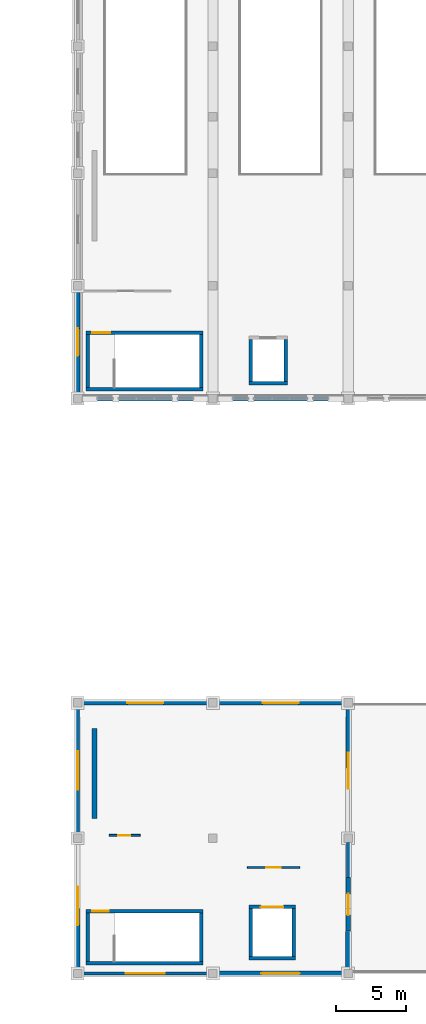
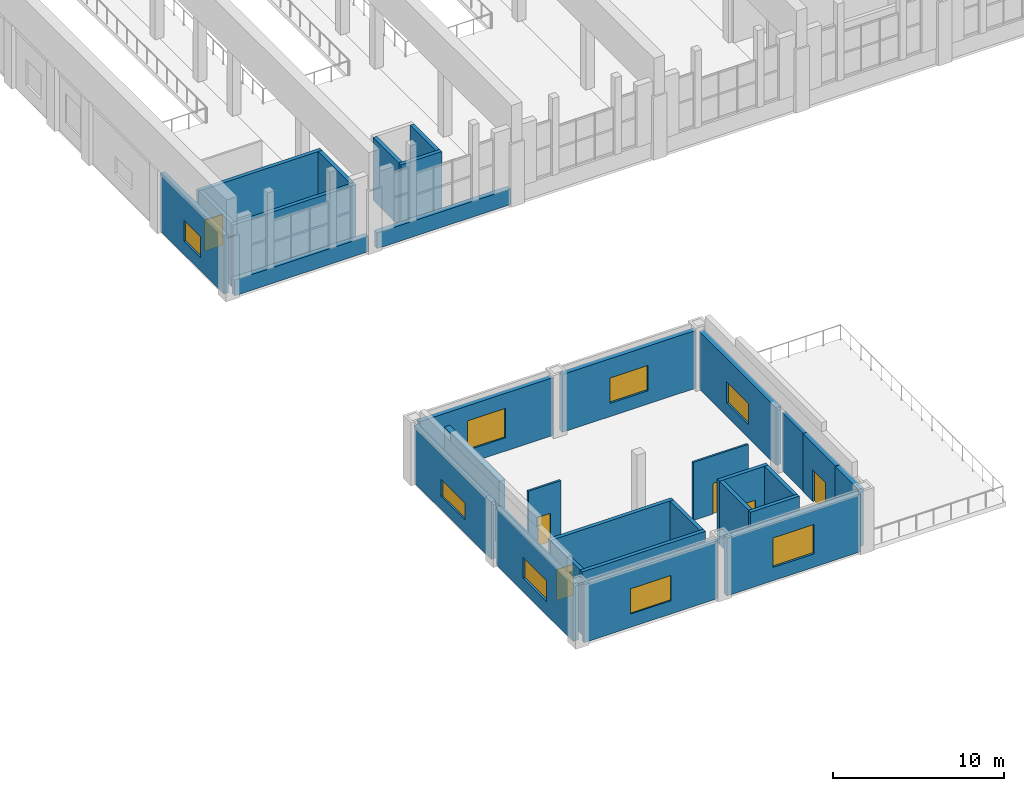
# One storey, part 29 of 46: 31 walls, 8 windows, 6 doors, 14 openings.
"""IFC4 building model written with IfcOpenShell, lengths in metres."""

from ifc_helpers import new_model, si_unit, direction, frame, frame_2d, origin, place, context, subcontext, project, spatial, rectangle, extrude, material, layer, layer_set, type_object, element, fill, save


model = new_model("IFC4")

# Units and contexts
model_context = context("Model", 3, precision=1e-05, world=origin(), true_north=direction((0.0, 1.0)))
body_context = subcontext(model_context, "Body", "Model", "MODEL_VIEW")
ifc_project = project(units=[si_unit("LENGTHUNIT", "METRE"), si_unit("AREAUNIT", "SQUARE_METRE"), si_unit("VOLUMEUNIT", "CUBIC_METRE"), si_unit("PLANEANGLEUNIT", "RADIAN"), si_unit("MASSUNIT", "GRAM", prefix="KILO")], contexts=[model_context])

# Site, building, storey
site_placement = place(None, origin())
site = spatial("IfcSite", under=ifc_project, at=site_placement, CompositionType="ELEMENT")
building_placement = place(site_placement, origin())
building = spatial("IfcBuilding", under=site, at=building_placement, Name="Mavantir Sound Aquarium", CompositionType="ELEMENT")
storey_placement = place(building_placement, frame((0.0, 0.0, 15.300048828125)))
storey = spatial("IfcBuildingStorey", under=building, at=storey_placement, Name="L03", CompositionType="ELEMENT", Elevation=15.300048828125)

# Wall, opening, door
ifc_material_1 = material(Name="Coral-Buff Architectural Precast Concrete C40/50", Category="concrete")
ifc_layer_1 = layer(ifc_material_1, 0.31005859375, Name="Coral-Buff Architectural Precast Concrete C40/50")
ifc_layer_set_1 = layer_set([ifc_layer_1], Name="Coral-Buff Architectural Precast Concrete C40/50")
wall_type_1 = type_object("IfcWallType", Name="EW-CORAL-310", PredefinedType="SOLIDWALL", material=ifc_layer_set_1)
wall_1_placement = place(storey_placement, frame((127.199951171875, 6.800048828125, 0.0), z_axis=(0.0, 0.0, 1.0), x_axis=(0.0, -1.0, 0.0)))
wall_1 = element("IfcWall", 1, at=wall_1_placement, inside=storey, type_object=wall_type_1, Name="L03 terrace portal wall 18", PredefinedType="SOLIDWALL", context=body_context, shape_type="SweptSolid", body=[
    extrude(rectangle(XDim=3.800048828125, YDim=0.31005859375, at=frame_2d((1.89990234375, 0.0))), origin(), (0.0, 0.0, 1.0), 4.146240234375),
])
opening_1_placement = place(wall_1_placement, frame((2.64990234375, 0.0, 0.0), z_axis=(0.0, 0.0, 1.0), x_axis=(-1.0, 0.0, 0.0)))
opening_1 = element("IfcOpeningElement", 2, at=opening_1_placement, cuts=wall_1, Name="Opening ETD-01", PredefinedType="OPENING", context=body_context, shape_type="SweptSolid", body=[
    extrude(rectangle(XDim=1.5, YDim=2.25, at=frame_2d((0.75, 1.125))), frame((0.0, 0.1650390625, 0.0), z_axis=(0.0, -1.0, 0.0), x_axis=(1.0, 0.0, 0.0)), (0.0, 0.0, 1.0), 0.330078125),
])
ifc_material_2 = material(Name="Marine-Grade Anodised Aluminium and Laminated Glass", Category="aluminium")
door_type_1 = type_object("IfcDoorType", Name="DR-TER-150", OperationType="NOTDEFINED", PredefinedType="DOOR", material=ifc_material_2)
door_1_placement = place(opening_1_placement, origin())
door_1 = element("IfcDoor", 3, at=door_1_placement, inside=storey, type_object=door_type_1, Name="L03 terrace access door 18", OperationType="SINGLE_SWING_LEFT", OverallHeight=2.25, OverallWidth=1.5, PredefinedType="DOOR", context=body_context, shape_type="SweptSolid", body=[
    extrude(rectangle(XDim=1.5, YDim=2.25, at=frame_2d((0.75, 1.125))), frame((0.0, 0.02490234375, 0.0), z_axis=(0.0, -1.0, 0.0), x_axis=(1.0, 0.0, 0.0)), (0.0, 0.0, 1.0), 0.050048828125),
])
fill(opening_1, door_1)

# Wall, opening, window
wall_2_placement = place(storey_placement, frame((108.0, 48.491943359375, 0.0), z_axis=(0.0, 0.0, 1.0), x_axis=(0.0, -1.0, 0.0)))
wall_2 = element("IfcWall", 4, at=wall_2_placement, inside=storey, type_object=wall_type_1, Name="L03 exterior facade wall EW-02 362", PredefinedType="SOLIDWALL", context=body_context, shape_type="SweptSolid", body=[
    extrude(rectangle(XDim=7.384033203125, YDim=0.31005859375, at=frame_2d((3.69189453125, 0.0))), origin(), (0.0, 0.0, 1.0), 4.159912109375),
])
opening_2_placement = place(wall_2_placement, frame((2.717041015625, 0.0, 0.949951171875)))
opening_2 = element("IfcOpeningElement", 5, at=opening_2_placement, cuts=wall_2, Name="Opening W-22", PredefinedType="OPENING", context=body_context, shape_type="SweptSolid", body=[
    extrude(rectangle(XDim=1.949951171875, YDim=1.5, at=frame_2d((0.97509765625, 0.75))), frame((0.0, 0.1650390625, 0.0), z_axis=(0.0, -1.0, 0.0), x_axis=(1.0, 0.0, 0.0)), (0.0, 0.0, 1.0), 0.330078125),
])
ifc_material_3 = material(Name="Thermally Broken Aluminium and Low-E Glass", Category="aluminium")
window_type_1 = type_object("IfcWindowType", Name="WIN-EXT-22", PartitioningType="DOUBLE_PANEL_VERTICAL", PredefinedType="WINDOW", material=ifc_material_3)
window_1_placement = place(opening_2_placement, origin())
window_1 = element("IfcWindow", 6, at=window_1_placement, inside=storey, type_object=window_type_1, Name="L03 facade window W-22 166", OverallHeight=1.5, OverallWidth=1.949951171875, PartitioningType="SINGLE_PANEL", PredefinedType="WINDOW", context=body_context, shape_type="SweptSolid", body=[
    extrude(rectangle(XDim=1.949951171875, YDim=1.5, at=frame_2d((0.97509765625, 0.75))), frame((0.0, 0.030029296875, 0.0), z_axis=(0.0, -1.0, 0.0), x_axis=(1.0, 0.0, 0.0)), (0.0, 0.0, 1.0), 0.06005859375),
])
fill(opening_2, window_1)

wall_3_placement = place(storey_placement, frame((126.89208984375, 19.199951171875, 0.0), z_axis=(0.0, 0.0, 1.0), x_axis=(-1.0, 0.0, 0.0)))
wall_3 = element("IfcWall", 7, at=wall_3_placement, inside=storey, type_object=wall_type_1, Name="L03 exterior facade wall EW-02 380", PredefinedType="SOLIDWALL", context=body_context, shape_type="SweptSolid", body=[
    extrude(rectangle(XDim=8.984130859375, YDim=0.31005859375, at=frame_2d((4.4921875, 0.0))), origin(), (0.0, 0.0, 1.0), 4.120361328125),
])
opening_3_placement = place(wall_3_placement, frame((3.217041015625, 0.0, 0.949951171875)))
opening_3 = element("IfcOpeningElement", 8, at=opening_3_placement, cuts=wall_3, Name="Opening W-35", PredefinedType="OPENING", context=body_context, shape_type="SweptSolid", body=[
    extrude(rectangle(XDim=2.550048828125, YDim=1.800048828125, at=frame_2d((1.27490234375, 0.89990234375))), frame((0.0, 0.1650390625, 0.0), z_axis=(0.0, -1.0, 0.0), x_axis=(1.0, 0.0, 0.0)), (0.0, 0.0, 1.0), 0.330078125),
])
window_type_2 = type_object("IfcWindowType", Name="WIN-EXT-35", PartitioningType="TRIPLE_PANEL_VERTICAL", PredefinedType="WINDOW", material=ifc_material_3)
window_2_placement = place(opening_3_placement, origin())
window_2 = element("IfcWindow", 9, at=window_2_placement, inside=storey, type_object=window_type_2, Name="L03 facade window W-35 179", OverallHeight=1.800048828125, OverallWidth=2.550048828125, PartitioningType="SINGLE_PANEL", PredefinedType="WINDOW", context=body_context, shape_type="SweptSolid", body=[
    extrude(rectangle(XDim=2.550048828125, YDim=1.800048828125, at=frame_2d((1.27490234375, 0.89990234375))), frame((0.0, 0.030029296875, 0.0), z_axis=(0.0, -1.0, 0.0), x_axis=(1.0, 0.0, 0.0)), (0.0, 0.0, 1.0), 0.06005859375),
])
fill(opening_3, window_2)

ifc_layer_2 = layer(ifc_material_1, 0.340087890625, Name="Coral-Buff Architectural Precast Concrete C40/50")
ifc_layer_set_2 = layer_set([ifc_layer_2], Name="Coral-Buff Architectural Precast Concrete C40/50")
wall_type_2 = type_object("IfcWallType", Name="EW-CORAL-340", PredefinedType="SOLIDWALL", material=ifc_layer_set_2)
wall_4_placement = place(storey_placement, frame((127.199951171875, 9.907958984375, 0.0), z_axis=(0.0, 0.0, 1.0), x_axis=(0.0, 1.0, 0.0)))
wall_4 = element("IfcWall", 10, at=wall_4_placement, inside=storey, type_object=wall_type_2, Name="L03 exterior facade wall EW-01 379", PredefinedType="SOLIDWALL", context=body_context, shape_type="SweptSolid", body=[
    extrude(rectangle(XDim=8.984130859375, YDim=0.340087890625, at=frame_2d((4.4921875, 0.0))), origin(), (0.0, 0.0, 1.0), 4.120361328125),
])
opening_4_placement = place(wall_4_placement, frame((3.217041015625, 0.0, 0.949951171875)))
opening_4 = element("IfcOpeningElement", 11, at=opening_4_placement, cuts=wall_4, Name="Opening W-34", PredefinedType="OPENING", context=body_context, shape_type="SweptSolid", body=[
    extrude(rectangle(XDim=2.550048828125, YDim=1.5, at=frame_2d((1.27490234375, 0.75))), frame((0.0, 0.18017578125, 0.0), z_axis=(0.0, -1.0, 0.0), x_axis=(1.0, 0.0, 0.0)), (0.0, 0.0, 1.0), 0.360107421875),
])
window_type_3 = type_object("IfcWindowType", Name="WIN-EXT-34", PartitioningType="TRIPLE_PANEL_VERTICAL", PredefinedType="WINDOW", material=ifc_material_3)
window_3_placement = place(opening_4_placement, origin())
window_3 = element("IfcWindow", 12, at=window_3_placement, inside=storey, type_object=window_type_3, Name="L03 facade window W-34 178", OverallHeight=1.5, OverallWidth=2.550048828125, PartitioningType="SINGLE_PANEL", PredefinedType="WINDOW", context=body_context, shape_type="SweptSolid", body=[
    extrude(rectangle(XDim=2.550048828125, YDim=1.5, at=frame_2d((1.27490234375, 0.75))), frame((0.0, 0.030029296875, 0.0), z_axis=(0.0, -1.0, 0.0), x_axis=(1.0, 0.0, 0.0)), (0.0, 0.0, 1.0), 0.06005859375),
])
fill(opening_4, window_3)

wall_5_placement = place(storey_placement, frame((117.907958984375, 0.0, 0.0), z_axis=(0.0, 0.0, 1.0), x_axis=(1.0, 0.0, 0.0)))
wall_5 = element("IfcWall", 13, at=wall_5_placement, inside=storey, type_object=wall_type_2, Name="L03 exterior facade wall EW-01 385", PredefinedType="SOLIDWALL", context=body_context, shape_type="SweptSolid", body=[
    extrude(rectangle(XDim=8.984130859375, YDim=0.340087890625, at=frame_2d((4.4921875, 0.0))), origin(), (0.0, 0.0, 1.0), 4.120361328125),
])
opening_5_placement = place(wall_5_placement, frame((3.116943359375, 0.0, 0.949951171875)))
opening_5 = element("IfcOpeningElement", 14, at=opening_5_placement, cuts=wall_5, Name="Opening W-40", PredefinedType="OPENING", context=body_context, shape_type="SweptSolid", body=[
    extrude(rectangle(XDim=2.75, YDim=2.10009765625, at=frame_2d((1.375, 1.050048828125))), frame((0.0, 0.18017578125, 0.0), z_axis=(0.0, -1.0, 0.0), x_axis=(1.0, 0.0, 0.0)), (0.0, 0.0, 1.0), 0.360107421875),
])
window_type_4 = type_object("IfcWindowType", Name="WIN-EXT-40", PartitioningType="TRIPLE_PANEL_VERTICAL", PredefinedType="WINDOW", material=ifc_material_3)
window_4_placement = place(opening_5_placement, origin())
window_4 = element("IfcWindow", 15, at=window_4_placement, inside=storey, type_object=window_type_4, Name="L03 facade window W-40 184", OverallHeight=2.10009765625, OverallWidth=2.75, PartitioningType="SINGLE_PANEL", PredefinedType="WINDOW", context=body_context, shape_type="SweptSolid", body=[
    extrude(rectangle(XDim=2.75, YDim=2.10009765625, at=frame_2d((1.375, 1.050048828125))), frame((0.0, 0.030029296875, 0.0), z_axis=(0.0, -1.0, 0.0), x_axis=(1.0, 0.0, 0.0)), (0.0, 0.0, 1.0), 0.06005859375),
])
fill(opening_5, window_4)

# Walls
for number, where, z_axis, x_axis, name in (
    (16, (108.300048828125, 40.800048828125, 0.0), (0.0, 0.0, 1.0), (1.0, 0.0, 0.0), "Scalloped bay 1 S gallery dado wall"),
    (17, (117.89990234375, 40.800048828125, 0.0), (0.0, 0.0, 1.0), (1.0, 0.0, 0.0), "Scalloped bay 2 S gallery dado wall"),
):
    element("IfcWall", number, at=place(storey_placement, frame(where, z_axis=z_axis, x_axis=x_axis)), inside=storey, type_object=wall_type_2, Name=name, PredefinedType="SOLIDWALL", context=body_context, shape_type="SweptSolid", body=[
        extrude(rectangle(XDim=9.0, YDim=0.340087890625, at=frame_2d((4.5, 0.0))), origin(), (0.0, 0.0, 1.0), 1.119873046875),
    ])
ifc_material_4 = material(Name="Architectural Precast Concrete C40/50", Category="concrete")
ifc_layer_3 = layer(ifc_material_4, 0.239990234375, Name="Architectural Precast Concrete C40/50")
ifc_layer_set_3 = layer_set([ifc_layer_3], Name="Architectural Precast Concrete C40/50")
wall_type_3 = type_object("IfcWallType", Name="EW-PRE-240", PredefinedType="SOLIDWALL", material=ifc_layer_set_3)
wall_6_placement = place(storey_placement, frame((127.199951171875, 6.804931640625, 0.0), z_axis=(0.0, 0.0, 1.0), x_axis=(0.0, 1.0, 0.0)))
element("IfcWall", 18, at=wall_6_placement, inside=storey, type_object=wall_type_3, Name="L03 exterior facade wall EW-06 378", PredefinedType="SOLIDWALL", context=body_context, shape_type="SweptSolid", body=[
    extrude(rectangle(XDim=2.487060546875, YDim=0.239990234375, at=frame_2d((1.24365234375, 0.0))), origin(), (0.0, 0.0, 1.0), 4.146240234375),
])

# Wall, opening, window
wall_7_placement = place(storey_placement, frame((108.30810546875, 0.0, 0.0), z_axis=(0.0, 0.0, 1.0), x_axis=(1.0, 0.0, 0.0)))
wall_7 = element("IfcWall", 19, at=wall_7_placement, inside=storey, type_object=wall_type_3, Name="L03 exterior facade wall EW-06 384", PredefinedType="SOLIDWALL", context=body_context, shape_type="SweptSolid", body=[
    extrude(rectangle(XDim=8.98388671875, YDim=0.239990234375, at=frame_2d((4.491943359375, 0.0))), origin(), (0.0, 0.0, 1.0), 4.120361328125),
])
opening_6_placement = place(wall_7_placement, frame((3.116943359375, 0.0, 0.949951171875)))
opening_6 = element("IfcOpeningElement", 20, at=opening_6_placement, cuts=wall_7, Name="Opening W-39", PredefinedType="OPENING", context=body_context, shape_type="SweptSolid", body=[
    extrude(rectangle(XDim=2.75, YDim=1.800048828125, at=frame_2d((1.375, 0.89990234375))), frame((0.0, 0.1298828125, 0.0), z_axis=(0.0, -1.0, 0.0), x_axis=(1.0, 0.0, 0.0)), (0.0, 0.0, 1.0), 0.260009765625),
])
window_type_5 = type_object("IfcWindowType", Name="WIN-EXT-39", PartitioningType="TRIPLE_PANEL_VERTICAL", PredefinedType="WINDOW", material=ifc_material_3)
window_5_placement = place(opening_6_placement, origin())
window_5 = element("IfcWindow", 21, at=window_5_placement, inside=storey, type_object=window_type_5, Name="L03 facade window W-39 183", OverallHeight=1.800048828125, OverallWidth=2.75, PartitioningType="SINGLE_PANEL", PredefinedType="WINDOW", context=body_context, shape_type="SweptSolid", body=[
    extrude(rectangle(XDim=2.75, YDim=1.800048828125, at=frame_2d((1.375, 0.89990234375))), frame((0.0, 0.030029296875, 0.0), z_axis=(0.0, -1.0, 0.0), x_axis=(1.0, 0.0, 0.0)), (0.0, 0.0, 1.0), 0.06005859375),
])
fill(opening_6, window_5)

# Wall
ifc_layer_4 = layer(ifc_material_1, 0.360107421875, Name="Coral-Buff Architectural Precast Concrete C40/50")
ifc_layer_set_4 = layer_set([ifc_layer_4], Name="Coral-Buff Architectural Precast Concrete C40/50")
wall_type_4 = type_object("IfcWallType", Name="EW-PRE-360", PredefinedType="SOLIDWALL", material=ifc_layer_set_4)
wall_8_placement = place(storey_placement, frame((127.199951171875, 0.30810546875, 0.0), z_axis=(0.0, 0.0, 1.0), x_axis=(0.0, 1.0, 0.0)))
element("IfcWall", 22, at=wall_8_placement, inside=storey, type_object=wall_type_4, Name="L03 exterior facade wall EW-05 377", PredefinedType="SOLIDWALL", context=body_context, shape_type="SweptSolid", body=[
    extrude(rectangle(XDim=2.68701171875, YDim=0.360107421875, at=frame_2d((1.343505859375, 0.0))), origin(), (0.0, 0.0, 1.0), 4.120361328125),
])

# Wall, opening, window
wall_9_placement = place(storey_placement, frame((108.0, 9.2919921875, 0.0), z_axis=(0.0, 0.0, 1.0), x_axis=(0.0, -1.0, 0.0)))
wall_9 = element("IfcWall", 23, at=wall_9_placement, inside=storey, type_object=wall_type_4, Name="L03 exterior facade wall EW-05 383", PredefinedType="SOLIDWALL", context=body_context, shape_type="SweptSolid", body=[
    extrude(rectangle(XDim=8.98388671875, YDim=0.360107421875, at=frame_2d((4.491943359375, 0.0))), origin(), (0.0, 0.0, 1.0), 4.120361328125),
])
opening_7_placement = place(wall_9_placement, frame((3.116943359375, 0.0, 0.949951171875)))
opening_7 = element("IfcOpeningElement", 24, at=opening_7_placement, cuts=wall_9, Name="Opening W-38", PredefinedType="OPENING", context=body_context, shape_type="SweptSolid", body=[
    extrude(rectangle(XDim=2.75, YDim=1.5, at=frame_2d((1.375, 0.75))), frame((0.0, 0.18994140625, 0.0), z_axis=(0.0, -1.0, 0.0), x_axis=(1.0, 0.0, 0.0)), (0.0, 0.0, 1.0), 0.380126953125),
])
window_type_6 = type_object("IfcWindowType", Name="WIN-EXT-38", PartitioningType="TRIPLE_PANEL_VERTICAL", PredefinedType="WINDOW", material=ifc_material_3)
window_6_placement = place(opening_7_placement, origin())
window_6 = element("IfcWindow", 25, at=window_6_placement, inside=storey, type_object=window_type_6, Name="L03 facade window W-38 182", OverallHeight=1.5, OverallWidth=2.75, PartitioningType="SINGLE_PANEL", PredefinedType="WINDOW", context=body_context, shape_type="SweptSolid", body=[
    extrude(rectangle(XDim=2.75, YDim=1.5, at=frame_2d((1.375, 0.75))), frame((0.0, 0.030029296875, 0.0), z_axis=(0.0, -1.0, 0.0), x_axis=(1.0, 0.0, 0.0)), (0.0, 0.0, 1.0), 0.06005859375),
])
fill(opening_7, window_6)

ifc_material_5 = material(Name="Cerulean Glazed Terracotta Rainscreen on Concrete C40/50", Category="masonry")
ifc_layer_5 = layer(ifc_material_5, 0.27001953125, Name="Cerulean Glazed Terracotta Rainscreen on Concrete C40/50")
ifc_layer_set_5 = layer_set([ifc_layer_5], Name="Cerulean Glazed Terracotta Rainscreen on Concrete C40/50")
wall_type_5 = type_object("IfcWallType", Name="EW-TERRA-270", PredefinedType="SOLIDWALL", material=ifc_layer_set_5)
wall_10_placement = place(storey_placement, frame((108.0, 18.89208984375, 0.0), z_axis=(0.0, 0.0, 1.0), x_axis=(0.0, -1.0, 0.0)))
wall_10 = element("IfcWall", 26, at=wall_10_placement, inside=storey, type_object=wall_type_5, Name="L03 exterior facade wall EW-04 382", PredefinedType="SOLIDWALL", context=body_context, shape_type="SweptSolid", body=[
    extrude(rectangle(XDim=8.984130859375, YDim=0.27001953125, at=frame_2d((4.4921875, 0.0))), origin(), (0.0, 0.0, 1.0), 4.120361328125),
])
opening_8_placement = place(wall_10_placement, frame((3.116943359375, 0.0, 0.949951171875)))
opening_8 = element("IfcOpeningElement", 27, at=opening_8_placement, cuts=wall_10, Name="Opening W-37", PredefinedType="OPENING", context=body_context, shape_type="SweptSolid", body=[
    extrude(rectangle(XDim=2.75, YDim=1.199951171875, at=frame_2d((1.375, 0.60009765625))), frame((0.0, 0.14501953125, 0.0), z_axis=(0.0, -1.0, 0.0), x_axis=(1.0, 0.0, 0.0)), (0.0, 0.0, 1.0), 0.2900390625),
])
window_type_7 = type_object("IfcWindowType", Name="WIN-EXT-37", PartitioningType="TRIPLE_PANEL_VERTICAL", PredefinedType="WINDOW", material=ifc_material_3)
window_7_placement = place(opening_8_placement, origin())
window_7 = element("IfcWindow", 28, at=window_7_placement, inside=storey, type_object=window_type_7, Name="L03 facade window W-37 181", OverallHeight=1.199951171875, OverallWidth=2.75, PartitioningType="SINGLE_PANEL", PredefinedType="WINDOW", context=body_context, shape_type="SweptSolid", body=[
    extrude(rectangle(XDim=2.75, YDim=1.199951171875, at=frame_2d((1.375, 0.60009765625))), frame((0.0, 0.030029296875, 0.0), z_axis=(0.0, -1.0, 0.0), x_axis=(1.0, 0.0, 0.0)), (0.0, 0.0, 1.0), 0.06005859375),
])
fill(opening_8, window_7)

ifc_material_6 = material(Name="Turquoise Glazed Terracotta Rainscreen on Concrete C40/50", Category="masonry")
ifc_layer_6 = layer(ifc_material_6, 0.2900390625, Name="Turquoise Glazed Terracotta Rainscreen on Concrete C40/50")
ifc_layer_set_6 = layer_set([ifc_layer_6], Name="Turquoise Glazed Terracotta Rainscreen on Concrete C40/50")
wall_type_6 = type_object("IfcWallType", Name="EW-TERRA-290", PredefinedType="SOLIDWALL", material=ifc_layer_set_6)
wall_11_placement = place(storey_placement, frame((117.2919921875, 19.199951171875, 0.0), z_axis=(0.0, 0.0, 1.0), x_axis=(-1.0, 0.0, 0.0)))
wall_11 = element("IfcWall", 29, at=wall_11_placement, inside=storey, type_object=wall_type_6, Name="L03 exterior facade wall EW-03 381", PredefinedType="SOLIDWALL", context=body_context, shape_type="SweptSolid", body=[
    extrude(rectangle(XDim=8.98388671875, YDim=0.2900390625, at=frame_2d((4.491943359375, 0.0))), origin(), (0.0, 0.0, 1.0), 4.120361328125),
])
opening_9_placement = place(wall_11_placement, frame((3.217041015625, 0.0, 0.949951171875)))
opening_9 = element("IfcOpeningElement", 30, at=opening_9_placement, cuts=wall_11, Name="Opening W-36", PredefinedType="OPENING", context=body_context, shape_type="SweptSolid", body=[
    extrude(rectangle(XDim=2.550048828125, YDim=2.10009765625, at=frame_2d((1.27490234375, 1.050048828125))), frame((0.0, 0.155029296875, 0.0), z_axis=(0.0, -1.0, 0.0), x_axis=(1.0, 0.0, 0.0)), (0.0, 0.0, 1.0), 0.31005859375),
])
window_type_8 = type_object("IfcWindowType", Name="WIN-EXT-36", PartitioningType="TRIPLE_PANEL_VERTICAL", PredefinedType="WINDOW", material=ifc_material_3)
window_8_placement = place(opening_9_placement, origin())
window_8 = element("IfcWindow", 31, at=window_8_placement, inside=storey, type_object=window_type_8, Name="L03 facade window W-36 180", OverallHeight=2.10009765625, OverallWidth=2.550048828125, PartitioningType="SINGLE_PANEL", PredefinedType="WINDOW", context=body_context, shape_type="SweptSolid", body=[
    extrude(rectangle(XDim=2.550048828125, YDim=2.10009765625, at=frame_2d((1.27490234375, 1.050048828125))), frame((0.0, 0.030029296875, 0.0), z_axis=(0.0, -1.0, 0.0), x_axis=(1.0, 0.0, 0.0)), (0.0, 0.0, 1.0), 0.06005859375),
])
fill(opening_9, window_8)

# Wall, opening, door
ifc_material_7 = material(Name="Acoustic Metal-Stud Gypsum Partition", Category="gypsum")
ifc_layer_7 = layer(ifc_material_7, 0.1298828125, Name="Acoustic Metal-Stud Gypsum Partition")
ifc_layer_set_7 = layer_set([ifc_layer_7], Name="Acoustic Metal-Stud Gypsum Partition")
wall_type_7 = type_object("IfcWallType", Name="IW-PART-130", PredefinedType="PARTITIONING", material=ifc_layer_set_7)
wall_12_placement = place(storey_placement, frame((120.050048828125, 7.52490234375, 0.0), z_axis=(0.0, 0.0, 1.0), x_axis=(1.0, 0.0, 0.0)))
wall_12 = element("IfcWall", 32, at=wall_12_placement, inside=storey, type_object=wall_type_7, Name="L03 Life Support Deaeration Tower and Heat-Recovery Plant entry partition", PredefinedType="PARTITIONING", context=body_context, shape_type="SweptSolid", body=[
    extrude(rectangle(XDim=3.699951171875, YDim=0.1298828125, at=frame_2d((1.85009765625, 0.0))), origin(), (0.0, 0.0, 1.0), 4.139892578125),
])
opening_10_placement = place(wall_12_placement, frame((1.340087890625, 0.0, 0.0)))
opening_10 = element("IfcOpeningElement", 33, at=opening_10_placement, cuts=wall_12, Name="Opening ID-04", PredefinedType="OPENING", context=body_context, shape_type="SweptSolid", body=[
    extrude(rectangle(XDim=1.02001953125, YDim=2.179931640625, at=frame_2d((0.510009765625, 1.08984375))), frame((0.0, 0.074951171875, 0.0), z_axis=(0.0, -1.0, 0.0), x_axis=(1.0, 0.0, 0.0)), (0.0, 0.0, 1.0), 0.14990234375),
])
ifc_material_8 = material(Name="Solid-Core Marine Hardwood and Vision-Panel Door", Category="wood")
door_type_2 = type_object("IfcDoorType", Name="DR-INT-04", OperationType="NOTDEFINED", PredefinedType="DOOR", material=ifc_material_8)
door_2_placement = place(opening_10_placement, origin())
door_2 = element("IfcDoor", 34, at=door_2_placement, inside=storey, type_object=door_type_2, Name="Life Support Deaeration Tower and Heat-Recovery Plant door", OperationType="SINGLE_SWING_LEFT", OverallHeight=2.179931640625, OverallWidth=1.02001953125, PredefinedType="DOOR", context=body_context, shape_type="SweptSolid", body=[
    extrude(rectangle(XDim=1.02001953125, YDim=2.179931640625, at=frame_2d((0.510009765625, 1.08984375))), frame((0.0, 0.02490234375, 0.0), z_axis=(0.0, -1.0, 0.0), x_axis=(1.0, 0.0, 0.0)), (0.0, 0.0, 1.0), 0.050048828125),
])
fill(opening_10, door_2)

ifc_material_9 = material(Name="Moisture-Resistant Marine Gypsum Partition", Category="gypsum")
ifc_layer_8 = layer(ifc_material_9, 0.139892578125, Name="Moisture-Resistant Marine Gypsum Partition")
ifc_layer_set_8 = layer_set([ifc_layer_8], Name="Moisture-Resistant Marine Gypsum Partition")
wall_type_8 = type_object("IfcWallType", Name="IW-PART-140", PredefinedType="PARTITIONING", material=ifc_layer_set_8)
wall_13_placement = place(storey_placement, frame((110.239990234375, 9.800048828125, 0.0), z_axis=(0.0, 0.0, 1.0), x_axis=(1.0, 0.0, 0.0)))
wall_13 = element("IfcWall", 35, at=wall_13_placement, inside=storey, type_object=wall_type_8, Name="L03 service riser enclosure 5", PredefinedType="PARTITIONING", context=body_context, shape_type="SweptSolid", body=[
    extrude(rectangle(XDim=2.199951171875, YDim=0.139892578125, at=frame_2d((1.10009765625, 0.0))), origin(), (0.0, 0.0, 1.0), 4.139892578125),
])
opening_11_placement = place(wall_13_placement, frame((0.64990234375, 0.0, 0.0)))
opening_11 = element("IfcOpeningElement", 36, at=opening_11_placement, cuts=wall_13, Name="Opening TD-01", PredefinedType="OPENING", context=body_context, shape_type="SweptSolid", body=[
    extrude(rectangle(XDim=0.85009765625, YDim=2.050048828125, at=frame_2d((0.425048828125, 1.02490234375))), frame((0.0, 0.080078125, 0.0), z_axis=(0.0, -1.0, 0.0), x_axis=(1.0, 0.0, 0.0)), (0.0, 0.0, 1.0), 0.159912109375),
])
ifc_material_10 = material(Name="Powder-Coated Steel Riser Access Door", Category="steel")
door_type_3 = type_object("IfcDoorType", Name="DR-TRAP-85", OperationType="NOTDEFINED", PredefinedType="TRAPDOOR", material=ifc_material_10)
door_3_placement = place(opening_11_placement, origin())
door_3 = element("IfcDoor", 37, at=door_3_placement, inside=storey, type_object=door_type_3, Name="L03 riser inspection trapdoor 5", OperationType="SINGLE_SWING_RIGHT", OverallHeight=2.050048828125, OverallWidth=0.85009765625, PredefinedType="TRAPDOOR", context=body_context, shape_type="SweptSolid", body=[
    extrude(rectangle(XDim=0.85009765625, YDim=2.050048828125, at=frame_2d((0.425048828125, 1.02490234375))), frame((0.0, 0.02490234375, 0.0), z_axis=(0.0, -1.0, 0.0), x_axis=(1.0, 0.0, 0.0)), (0.0, 0.0, 1.0), 0.050048828125),
])
fill(opening_11, door_3)

# Wall
ifc_material_11 = material(Name="Concrete C40/50", Category="concrete")
ifc_layer_9 = layer(ifc_material_11, 0.25, Name="Concrete C40/50")
ifc_layer_set_9 = layer_set([ifc_layer_9], Name="Concrete C40/50")
wall_type_9 = type_object("IfcWallType", Name="IW-SHAFT-250", PredefinedType="SHEAR", material=ifc_layer_set_9)
wall_14_placement = place(storey_placement, frame((108.60009765625, 41.47509765625, 0.0), z_axis=(0.0, 0.0, 1.0), x_axis=(1.0, 0.0, 0.0)))
element("IfcWall", 38, at=wall_14_placement, inside=storey, type_object=wall_type_9, Name="L03 stair ST4 shaft wall S", PredefinedType="SHEAR", context=body_context, shape_type="SweptSolid", body=[
    extrude(rectangle(XDim=8.2998046875, YDim=0.25, at=frame_2d((4.14990234375, 0.0))), origin(), (0.0, 0.0, 1.0), 4.5),
])

# Wall, opening, door
wall_15_placement = place(storey_placement, frame((116.89990234375, 45.47509765625, 0.0), z_axis=(0.0, 0.0, 1.0), x_axis=(-1.0, 0.0, 0.0)))
wall_15 = element("IfcWall", 39, at=wall_15_placement, inside=storey, type_object=wall_type_9, Name="L03 stair ST4 shaft wall N", PredefinedType="SHEAR", context=body_context, shape_type="SweptSolid", body=[
    extrude(rectangle(XDim=8.2998046875, YDim=0.25, at=frame_2d((4.14990234375, 0.0))), origin(), (0.0, 0.0, 1.0), 4.5),
])
opening_12_placement = place(wall_15_placement, frame((7.85009765625, 0.0, 0.0), z_axis=(0.0, 0.0, 1.0), x_axis=(-1.0, 0.0, 0.0)))
opening_12 = element("IfcOpeningElement", 40, at=opening_12_placement, cuts=wall_15, Name="Opening SD-01", PredefinedType="OPENING", context=body_context, shape_type="SweptSolid", body=[
    extrude(rectangle(XDim=1.25, YDim=2.199951171875, at=frame_2d((0.625, 1.10009765625))), frame((0.0, 0.135009765625, 0.0), z_axis=(0.0, -1.0, 0.0), x_axis=(1.0, 0.0, 0.0)), (0.0, 0.0, 1.0), 0.27001953125),
])
ifc_material_12 = material(Name="Fire-Rated Steel Acoustic Door Leaf", Category="steel")
door_type_4 = type_object("IfcDoorType", Name="DR-ST-125", OperationType="NOTDEFINED", PredefinedType="DOOR", material=ifc_material_12)
door_4_placement = place(opening_12_placement, origin())
door_4 = element("IfcDoor", 41, at=door_4_placement, inside=storey, type_object=door_type_4, Name="L03 protected exit stair ST4 door", OperationType="SINGLE_SWING_RIGHT", OverallHeight=2.199951171875, OverallWidth=1.25, PredefinedType="DOOR", context=body_context, shape_type="SweptSolid", body=[
    extrude(rectangle(XDim=1.25, YDim=2.199951171875, at=frame_2d((0.625, 1.10009765625))), frame((0.0, 0.02490234375, 0.0), z_axis=(0.0, -1.0, 0.0), x_axis=(1.0, 0.0, 0.0)), (0.0, 0.0, 1.0), 0.050048828125),
])
fill(opening_12, door_4)

# Walls
for number, where, z_axis, x_axis, name in (
    (42, (108.72509765625, 45.35009765625, 0.0), (0.0, 0.0, 1.0), (0.0, -1.0, 0.0), "L03 stair ST4 shaft wall W"),
    (43, (116.77490234375, 41.60009765625, 0.0), (0.0, 0.0, 1.0), (0.0, 1.0, 0.0), "L03 stair ST4 shaft wall E"),
):
    element("IfcWall", number, at=place(storey_placement, frame(where, z_axis=z_axis, x_axis=x_axis)), inside=storey, type_object=wall_type_9, Name=name, PredefinedType="SHEAR", context=body_context, shape_type="SweptSolid", body=[
        extrude(rectangle(XDim=3.75, YDim=0.25, at=frame_2d((1.875, 0.0))), origin(), (0.0, 0.0, 1.0), 4.5),
    ])
wall_16_placement = place(storey_placement, frame((108.60009765625, 0.72509765625, 0.0), z_axis=(0.0, 0.0, 1.0), x_axis=(1.0, 0.0, 0.0)))
element("IfcWall", 44, at=wall_16_placement, inside=storey, type_object=wall_type_9, Name="L03 stair ST6 shaft wall S", PredefinedType="SHEAR", context=body_context, shape_type="SweptSolid", body=[
    extrude(rectangle(XDim=8.2998046875, YDim=0.25, at=frame_2d((4.14990234375, 0.0))), origin(), (0.0, 0.0, 1.0), 4.5),
])

# Wall, opening, door
wall_17_placement = place(storey_placement, frame((116.89990234375, 4.425048828125, 0.0), z_axis=(0.0, 0.0, 1.0), x_axis=(-1.0, 0.0, 0.0)))
wall_17 = element("IfcWall", 45, at=wall_17_placement, inside=storey, type_object=wall_type_9, Name="L03 stair ST6 shaft wall N", PredefinedType="SHEAR", context=body_context, shape_type="SweptSolid", body=[
    extrude(rectangle(XDim=8.2998046875, YDim=0.25, at=frame_2d((4.14990234375, 0.0))), origin(), (0.0, 0.0, 1.0), 4.5),
])
opening_13_placement = place(wall_17_placement, frame((7.849853515625, 0.0, 0.0), z_axis=(0.0, 0.0, 1.0), x_axis=(-1.0, 0.0, 0.0)))
opening_13 = element("IfcOpeningElement", 46, at=opening_13_placement, cuts=wall_17, Name="Opening SD-02", PredefinedType="OPENING", context=body_context, shape_type="SweptSolid", body=[
    extrude(rectangle(XDim=1.14990234375, YDim=2.199951171875, at=frame_2d((0.574951171875, 1.10009765625))), frame((0.0, 0.135009765625, 0.0), z_axis=(0.0, -1.0, 0.0), x_axis=(1.0, 0.0, 0.0)), (0.0, 0.0, 1.0), 0.27001953125),
])
door_type_5 = type_object("IfcDoorType", Name="DR-ST-115", OperationType="NOTDEFINED", PredefinedType="DOOR", material=ifc_material_12)
door_5_placement = place(opening_13_placement, origin())
door_5 = element("IfcDoor", 47, at=door_5_placement, inside=storey, type_object=door_type_5, Name="L03 protected exit stair ST6 door", OperationType="SINGLE_SWING_RIGHT", OverallHeight=2.199951171875, OverallWidth=1.14990234375, PredefinedType="DOOR", context=body_context, shape_type="SweptSolid", body=[
    extrude(rectangle(XDim=1.14990234375, YDim=2.199951171875, at=frame_2d((0.574951171875, 1.10009765625))), frame((0.0, 0.02490234375, 0.0), z_axis=(0.0, -1.0, 0.0), x_axis=(1.0, 0.0, 0.0)), (0.0, 0.0, 1.0), 0.050048828125),
])
fill(opening_13, door_5)

# Walls
for number, where, z_axis, x_axis, name in (
    (48, (108.72509765625, 4.300048828125, 0.0), (0.0, 0.0, 1.0), (0.0, -1.0, 0.0), "L03 stair ST6 shaft wall W"),
    (49, (116.77490234375, 0.85009765625, 0.0), (0.0, 0.0, 1.0), (0.0, 1.0, 0.0), "L03 stair ST6 shaft wall E"),
):
    element("IfcWall", number, at=place(storey_placement, frame(where, z_axis=z_axis, x_axis=x_axis)), inside=storey, type_object=wall_type_9, Name=name, PredefinedType="SHEAR", context=body_context, shape_type="SweptSolid", body=[
        extrude(rectangle(XDim=3.449951171875, YDim=0.25, at=frame_2d((1.72509765625, 0.0))), origin(), (0.0, 0.0, 1.0), 4.5),
    ])
wall_18_placement = place(storey_placement, frame((120.14990234375, 41.875, 0.0), z_axis=(0.0, 0.0, 1.0), x_axis=(1.0, 0.0, 0.0)))
element("IfcWall", 50, at=wall_18_placement, inside=storey, type_object=wall_type_9, Name="L03 lift LC4 shaft wall S", PredefinedType="SHEAR", context=body_context, shape_type="SweptSolid", body=[
    extrude(rectangle(XDim=2.75, YDim=0.25, at=frame_2d((1.375, 0.0))), origin(), (0.0, 0.0, 1.0), 4.5),
])
for number, where, z_axis, x_axis, name in (
    (51, (120.27490234375, 42.0, 0.0), (0.0, 0.0, 1.0), (0.0, 1.0, 0.0), "L03 lift LC4 shaft wall W"),
    (52, (122.77490234375, 42.0, 0.0), (0.0, 0.0, 1.0), (0.0, 1.0, 0.0), "L03 lift LC4 shaft wall E"),
):
    element("IfcWall", number, at=place(storey_placement, frame(where, z_axis=z_axis, x_axis=x_axis)), inside=storey, type_object=wall_type_9, Name=name, PredefinedType="SHEAR", context=body_context, shape_type="SweptSolid", body=[
        extrude(rectangle(XDim=3.0, YDim=0.25, at=frame_2d((1.5, 0.0))), origin(), (0.0, 0.0, 1.0), 4.5),
    ])
wall_19_placement = place(storey_placement, frame((120.14990234375, 1.074951171875, 0.0), z_axis=(0.0, 0.0, 1.0), x_axis=(1.0, 0.0, 0.0)))
element("IfcWall", 53, at=wall_19_placement, inside=storey, type_object=wall_type_9, Name="L03 lift LC6 shaft wall S", PredefinedType="SHEAR", context=body_context, shape_type="SweptSolid", body=[
    extrude(rectangle(XDim=3.300048828125, YDim=0.25, at=frame_2d((1.64990234375, 0.0))), origin(), (0.0, 0.0, 1.0), 4.5),
])

# Wall, opening, door
wall_20_placement = place(storey_placement, frame((120.14990234375, 4.72509765625, 0.0), z_axis=(0.0, 0.0, 1.0), x_axis=(1.0, 0.0, 0.0)))
wall_20 = element("IfcWall", 54, at=wall_20_placement, inside=storey, type_object=wall_type_9, Name="L03 lift LC6 shaft wall N", PredefinedType="SHEAR", context=body_context, shape_type="SweptSolid", body=[
    extrude(rectangle(XDim=3.300048828125, YDim=0.25, at=frame_2d((1.64990234375, 0.0))), origin(), (0.0, 0.0, 1.0), 4.5),
])
opening_14_placement = place(wall_20_placement, frame((0.85009765625, 0.0, 0.0)))
opening_14 = element("IfcOpeningElement", 55, at=opening_14_placement, cuts=wall_20, Name="Opening LD-03", PredefinedType="OPENING", context=body_context, shape_type="SweptSolid", body=[
    extrude(rectangle(XDim=1.60009765625, YDim=2.300048828125, at=frame_2d((0.800048828125, 1.14990234375))), frame((0.0, 0.135009765625, 0.0), z_axis=(0.0, -1.0, 0.0), x_axis=(1.0, 0.0, 0.0)), (0.0, 0.0, 1.0), 0.27001953125),
])
ifc_material_13 = material(Name="Stainless Steel 316 Goods Lift Landing Door", Category="steel")
door_type_6 = type_object("IfcDoorType", Name="DR-LD-160", OperationType="NOTDEFINED", PredefinedType="DOOR", material=ifc_material_13)
door_6_placement = place(opening_14_placement, origin())
door_6 = element("IfcDoor", 56, at=door_6_placement, inside=storey, type_object=door_type_6, Name="Lift LC6 sliding landing door (L03)", OperationType="DOUBLE_DOOR_SLIDING", OverallHeight=2.300048828125, OverallWidth=1.60009765625, PredefinedType="DOOR", context=body_context, shape_type="SweptSolid", body=[
    extrude(rectangle(XDim=1.60009765625, YDim=2.300048828125, at=frame_2d((0.800048828125, 1.14990234375))), frame((0.0, 0.02490234375, 0.0), z_axis=(0.0, -1.0, 0.0), x_axis=(1.0, 0.0, 0.0)), (0.0, 0.0, 1.0), 0.050048828125),
])
fill(opening_14, door_6)

# Walls
for number, where, z_axis, x_axis, name in (
    (57, (120.27490234375, 1.199951171875, 0.0), (0.0, 0.0, 1.0), (0.0, 1.0, 0.0), "L03 lift LC6 shaft wall W"),
    (58, (123.324951171875, 1.199951171875, 0.0), (0.0, 0.0, 1.0), (0.0, 1.0, 0.0), "L03 lift LC6 shaft wall E"),
):
    element("IfcWall", number, at=place(storey_placement, frame(where, z_axis=z_axis, x_axis=x_axis)), inside=storey, type_object=wall_type_9, Name=name, PredefinedType="SHEAR", context=body_context, shape_type="SweptSolid", body=[
        extrude(rectangle(XDim=3.400146484375, YDim=0.25, at=frame_2d((1.7001953125, 0.0))), origin(), (0.0, 0.0, 1.0), 4.5),
    ])
ifc_layer_10 = layer(ifc_material_11, 0.3798828125, Name="Concrete C40/50")
ifc_layer_set_10 = layer_set([ifc_layer_10], Name="Concrete C40/50")
wall_type_10 = type_object("IfcWallType", Name="SW-SHR-380", PredefinedType="SHEAR", material=ifc_layer_set_10)
wall_21_placement = place(storey_placement, frame((109.199951171875, 11.0, 0.0), z_axis=(0.0, 0.0, 1.0), x_axis=(0.0, 1.0, 0.0)))
element("IfcWall", 59, at=wall_21_placement, inside=storey, type_object=wall_type_10, Name="L03 special RC shear wall 43 (V6)", PredefinedType="SHEAR", context=body_context, shape_type="SweptSolid", body=[
    extrude(rectangle(XDim=6.39990234375, YDim=0.3798828125, at=frame_2d((3.199951171875, 0.0))), origin(), (0.0, 0.0, 1.0), 4.5),
])

save(model, "model.ifc")
